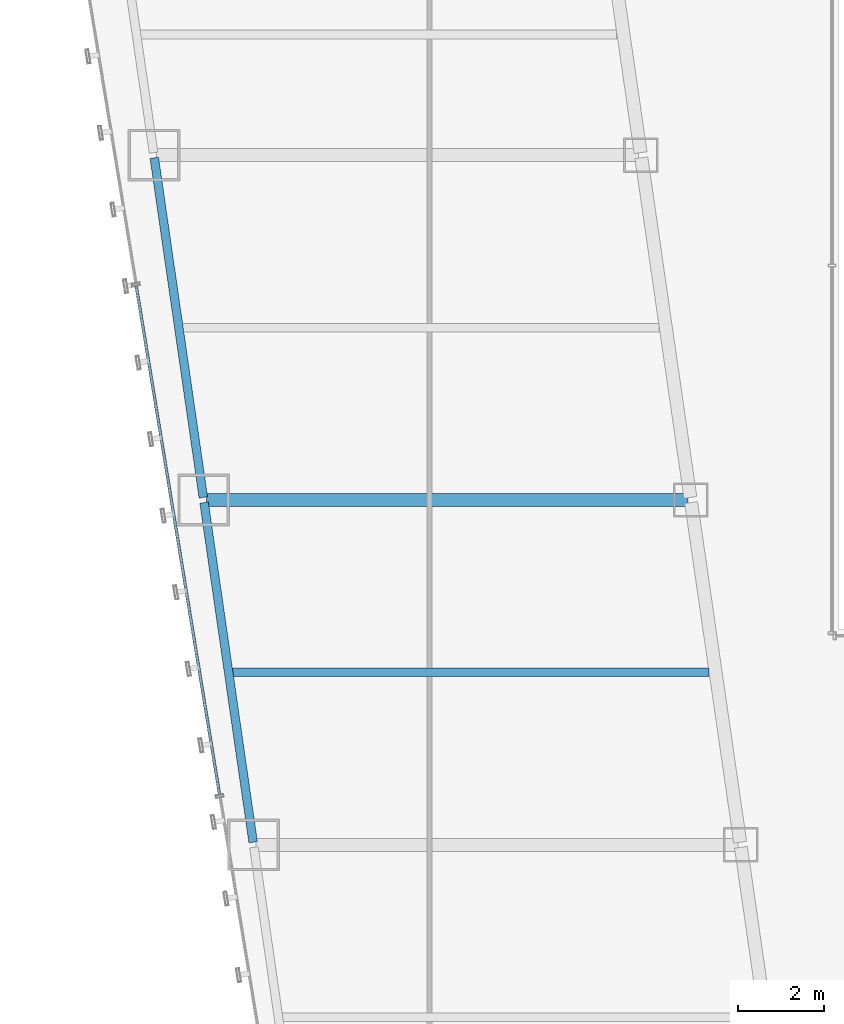
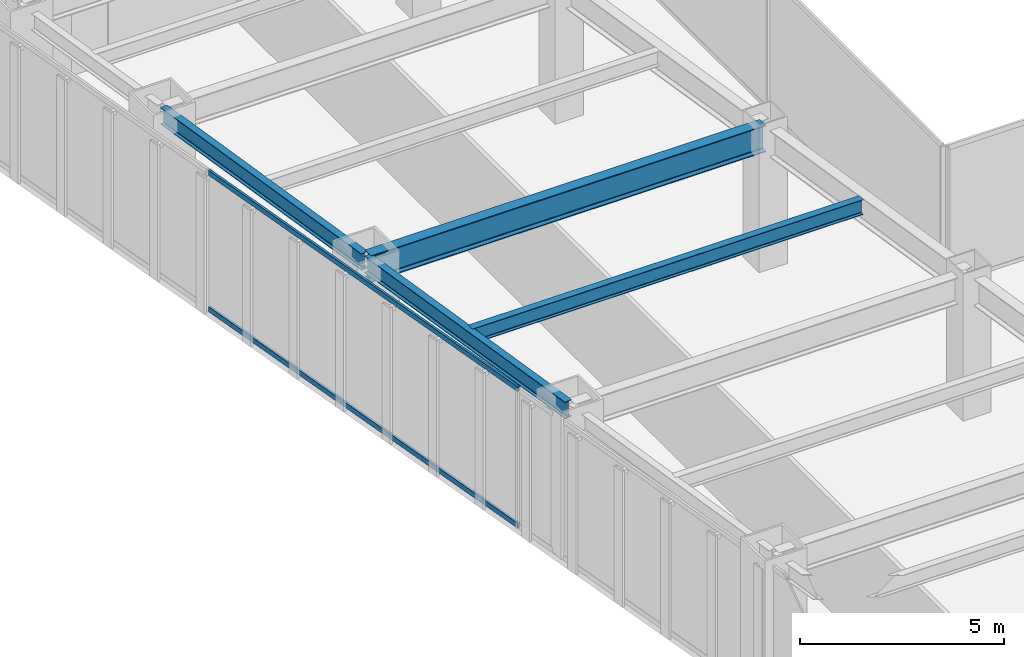
# One storey, part 10 of 47: 4 beams, 2 members, 1 element without a shape of its own.
"""IFC4 building model written with IfcOpenShell, lengths in metres."""

from ifc_helpers import new_model, si_unit, direction, frame, origin, origin_2d, place, context, subcontext, project, spatial, hollow_rectangle, i_section, extrude, material, material_profile, profile_set, type_object, element, aggregate, save


model = new_model("IFC4")

# Units and contexts
model_context = context("Model", 3, precision=1e-05, world=origin(), true_north=direction((0.0, 1.0)))
body_context = subcontext(model_context, "Body", "Model", "MODEL_VIEW")
ifc_project = project(units=[si_unit("LENGTHUNIT", "METRE"), si_unit("AREAUNIT", "SQUARE_METRE"), si_unit("VOLUMEUNIT", "CUBIC_METRE"), si_unit("PLANEANGLEUNIT", "RADIAN"), si_unit("MASSUNIT", "GRAM", prefix="KILO")], contexts=[model_context])

# Site, building, storey
site_placement = place(None, origin())
site = spatial("IfcSite", under=ifc_project, at=site_placement, CompositionType="ELEMENT")
building_placement = place(site_placement, origin())
building = spatial("IfcBuilding", under=site, at=building_placement, Name="Saevonmaru Cultural Tower", CompositionType="ELEMENT")
storey_placement = place(building_placement, frame((0.0, 0.0, 64.800048828125)))
storey = spatial("IfcBuildingStorey", under=building, at=storey_placement, Name="L13", CompositionType="ELEMENT", Elevation=64.800048828125)

# Beams
ifc_material_1 = material(Name="Steel SM420", Category="steel")
ifc_material_profile_1 = material_profile(ifc_material_1, i_section(OverallWidth=0.300048828125, OverallDepth=0.800048828125, WebThickness=0.013916015625, FlangeThickness=0.02587890625, FilletRadius=0.028076171875, at=origin_2d()), Name="H-800x300x14x26")
ifc_profile_set_1 = profile_set([ifc_material_profile_1], Name="Steel SM420")
beam_type_1 = type_object("IfcBeamType", Name="BM-G-H800", PredefinedType="BEAM", material=ifc_profile_set_1)
beam_1_placement = place(storey_placement, frame((9.531982421875, 24.0, 3.75), z_axis=(1.0, 0.0, 0.0), x_axis=(0.0, 1.0, 0.0)))
element("IfcBeam", 1, at=beam_1_placement, inside=storey, type_object=beam_type_1, Name="L13 West Wing Transverse Girder 4", PredefinedType="BEAM", context=body_context, shape_type="SweptSolid", body=[
    extrude(i_section(OverallWidth=0.300048828125, OverallDepth=0.800048828125, WebThickness=0.013916015625, FlangeThickness=0.02587890625, FilletRadius=0.028076171875, at=origin_2d()), origin(), (0.0, 0.0, 1.0), 11.179931640625),
])
ifc_material_2 = material(Name="Steel SM355", Category="steel")
ifc_material_profile_2 = material_profile(ifc_material_2, i_section(OverallWidth=0.199951171875, OverallDepth=0.449951171875, WebThickness=0.009033203125, FlangeThickness=0.013916015625, FilletRadius=0.01806640625, at=origin_2d()), Name="H-450x200x9x14")
ifc_profile_set_2 = profile_set([ifc_material_profile_2], Name="Steel SM355")
beam_type_2 = type_object("IfcBeamType", Name="BM-J-H450", PredefinedType="JOIST", material=ifc_profile_set_2)
beam_2_placement = place(storey_placement, frame((10.110107421875, 20.0, 3.925048828125), z_axis=(1.0, 0.0, 0.0), x_axis=(0.0, 1.0, 0.0)))
element("IfcBeam", 2, at=beam_2_placement, inside=storey, type_object=beam_type_2, Name="L13 West Wing Floor Joist 3", PredefinedType="JOIST", context=body_context, shape_type="SweptSolid", body=[
    extrude(i_section(OverallWidth=0.199951171875, OverallDepth=0.449951171875, WebThickness=0.009033203125, FlangeThickness=0.013916015625, FilletRadius=0.01806640625, at=origin_2d()), origin(), (0.0, 0.0, 1.0), 11.081787109375),
])
ifc_material_profile_3 = material_profile(ifc_material_2, i_section(OverallWidth=0.199951171875, OverallDepth=0.5, WebThickness=0.010009765625, FlangeThickness=0.01611328125, FilletRadius=0.02001953125, at=origin_2d()), Name="H-500x200x10x16")
ifc_profile_set_3 = profile_set([ifc_material_profile_3], Name="Steel SM355")
beam_type_3 = type_object("IfcBeamType", Name="BM-SP-H500", PredefinedType="SPANDREL", material=ifc_profile_set_3)
for number, where, z_axis, x_axis, name in (
    (3, (10.619384765625, 16.059326171875, 3.89990234375), (-0.142992129437, 0.989723825579, 0.0), (-0.989723825579, -0.142992129437, 0.0), "L13 West Splayed Spandrel 3"),
    (4, (9.46337890625, 24.059326171875, 3.89990234375), (-0.142871999001, 0.989741174197, 0.0), (-0.989741174197, -0.142871999001, 0.0), "L13 West Splayed Spandrel 4"),
):
    element("IfcBeam", number, at=place(storey_placement, frame(where, z_axis=z_axis, x_axis=x_axis)), inside=storey, type_object=beam_type_3, Name=name, PredefinedType="SPANDREL", context=body_context, shape_type="SweptSolid", body=[
        extrude(i_section(OverallWidth=0.199951171875, OverallDepth=0.5, WebThickness=0.010009765625, FlangeThickness=0.01611328125, FilletRadius=0.02001953125, at=origin_2d()), origin(), (0.0, 0.0, 1.0), 7.963134765625),
    ])

# Curtain wall, members
ifc_material_3 = material(Name="Satin Bronze Anodised Aluminium", Category="aluminium")
curtain_wall_type = type_object("IfcCurtainWallType", Name="CW-TYP-A", PredefinedType="NOTDEFINED", material=ifc_material_3)
curtain_wall_placement = place(storey_placement, origin())
curtain_wall = element("IfcCurtainWall", 5, at=curtain_wall_placement, inside=storey, type_object=curtain_wall_type, Name="L13 Unitised Curtain Wall E12", PredefinedType="NOTDEFINED")
ifc_material_profile_4 = material_profile(ifc_material_3, hollow_rectangle(XDim=0.06494140625, YDim=0.14990234375, WallThickness=0.00390625, at=origin_2d()), Name="ALU-TRAN-150x65x4")
ifc_profile_set_4 = profile_set([ifc_material_profile_4], Name="Satin Bronze Anodised Aluminium")
member_type = type_object("IfcMemberType", Name="TR-CW-150x65", PredefinedType="USERDEFINED", material=ifc_profile_set_4)
member_1_placement = place(storey_placement, frame((7.9052734375, 28.968017578125, 0.032470703125), z_axis=(0.161701400727, -0.986839732177, 0.0), x_axis=(0.986839732177, 0.161701400727, 0.0)))
member_1 = element("IfcMember", 6, at=member_1_placement, type_object=member_type, Name="CW-TW-L13-E12 transom 3.1", ObjectType="TRANSOM", PredefinedType="USERDEFINED", context=body_context, shape_type="SweptSolid", body=[
    extrude(hollow_rectangle(XDim=0.06494140625, YDim=0.14990234375, WallThickness=0.00390625, at=origin_2d()), origin(), (0.0, 0.0, 1.0), 11.9638671875),
])
member_2_placement = place(storey_placement, frame((7.9052734375, 28.968017578125, 4.117431640625), z_axis=(0.161701400727, -0.986839732177, 0.0), x_axis=(0.986839732177, 0.161701400727, 0.0)))
member_2 = element("IfcMember", 7, at=member_2_placement, type_object=member_type, Name="CW-TW-L13-E12 transom 3.2", ObjectType="TRANSOM", PredefinedType="USERDEFINED", context=body_context, shape_type="SweptSolid", body=[
    extrude(hollow_rectangle(XDim=0.06494140625, YDim=0.14990234375, WallThickness=0.00390625, at=origin_2d()), origin(), (0.0, 0.0, 1.0), 11.9638671875),
])
aggregate(curtain_wall, [member_1, member_2])

save(model, "model.ifc")
